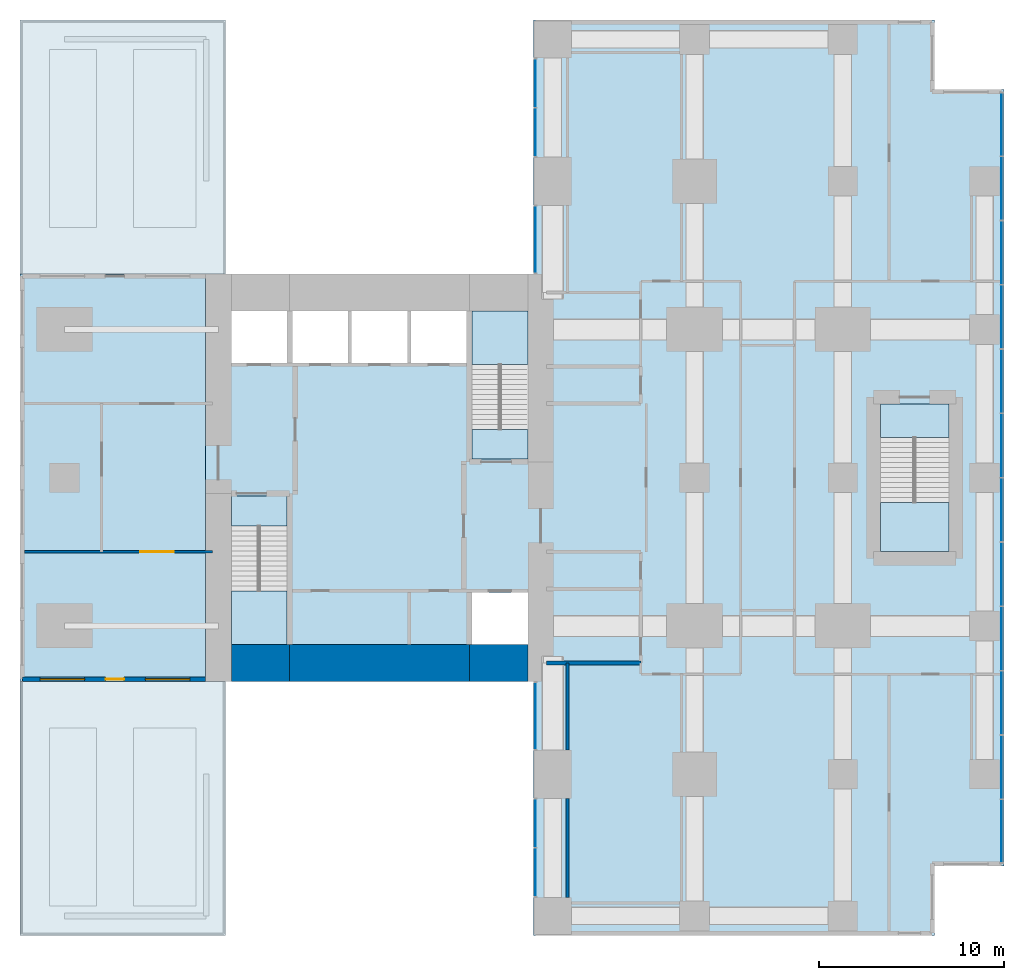
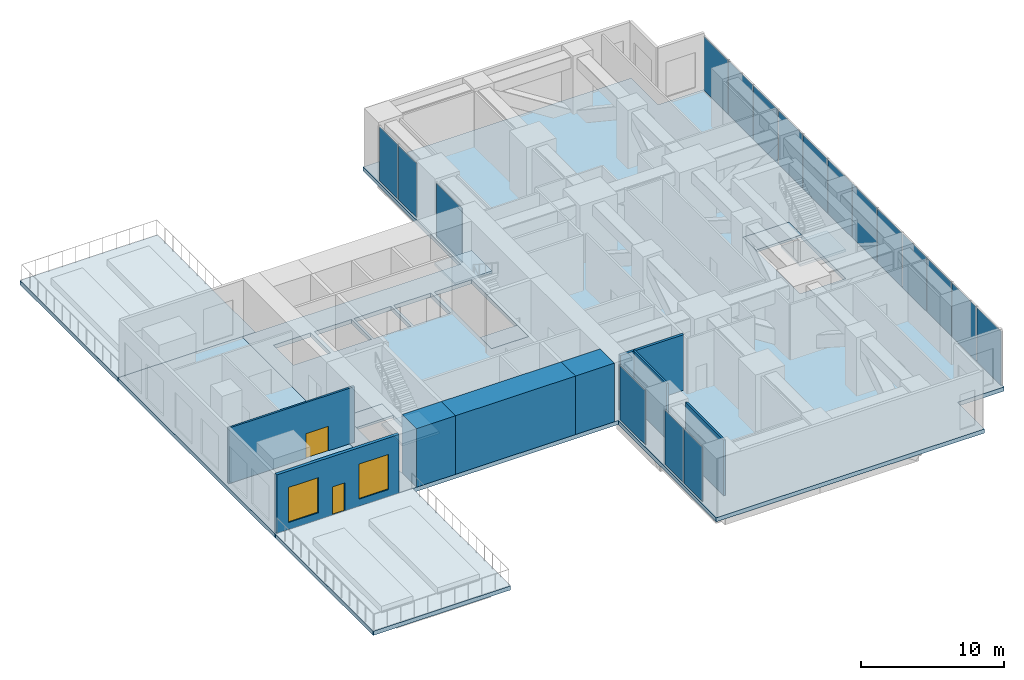
# One storey, part 6 of 10: 18 plates, 10 slabs, 8 walls, 2 doors, 2 windows, 4 openings, 8 elements without a shape of their own.
"""IFC4 building model written with IfcOpenShell, lengths in metres."""

import ifcopenshell
import ifcopenshell.guid

model = None  # the IFC model being written
_history = None  # IfcOwnerHistory: only IFC2X3 demands one
_inside = {}  # id of a spatial element -> (the spatial element, [elements in it])
_under = {}  # id of a project, library or spatial element -> (it, [spatial elements below it])
_declared = {}  # id of a project -> (the project, [libraries it declares])
_typed = {}  # id of a type object -> (the type object, [elements of that type])
_made_of = {}  # id of a material, layer set ... -> (it, [elements and type objects made of it])


def new_model(schema):
    """Start an empty IFC model of exactly this schema.

    Asked for "IFC4X3", IfcOpenShell would pick the latest addendum, in which some entities
    have other attributes; the version numbers below select the first issue.
    IFC2X3 requires an IfcOwnerHistory on every rooted entity: one is made here for all.
    """
    global model, _history
    if schema == "IFC4X3":
        model = ifcopenshell.file(schema_version=(4, 3, 0, 0))
    else:
        model = ifcopenshell.file(schema=schema)
    _inside.clear()
    _under.clear()
    _declared.clear()
    _typed.clear()
    _made_of.clear()
    _history = None
    if model.schema == "IFC2X3":
        org = make("IfcOrganization", Name="unknown")
        user = make(
            "IfcPersonAndOrganization",
            ThePerson=make("IfcPerson", FamilyName="unknown"),
            TheOrganization=org,
        )
        app = make(
            "IfcApplication",
            ApplicationDeveloper=org,
            Version="unknown",
            ApplicationFullName="unknown",
            ApplicationIdentifier="unknown",
        )
        _history = make(
            "IfcOwnerHistory",
            OwningUser=user,
            OwningApplication=app,
            ChangeAction="ADDED",
            CreationDate=0,
        )
    return model


def make(cls, **values):
    """One entity of the class cls with the attributes given. An attribute that is None is left unset."""
    return model.create_entity(
        cls, **{name: value for name, value in values.items() if value is not None}
    )


def rooted(cls, **values):
    """An entity with a GlobalId (a new one), such as an element, a storey or a relation."""
    return make(cls, GlobalId=ifcopenshell.guid.new(), OwnerHistory=_history, **values)


def si_unit(unit_type, name, prefix=None):
    """IfcSIUnit, for example si_unit("LENGTHUNIT", "METRE", prefix="MILLI")."""
    return make("IfcSIUnit", UnitType=unit_type, Prefix=prefix, Name=name)


def assignment(units):
    """IfcUnitAssignment: the units of a project."""
    return None if units is None else make("IfcUnitAssignment", Units=units)


def point(xyz):
    """IfcCartesianPoint."""
    return None if xyz is None else make("IfcCartesianPoint", Coordinates=xyz)


def direction(xyz):
    """IfcDirection."""
    return None if xyz is None else make("IfcDirection", DirectionRatios=xyz)


def frame(location, z_axis=None, x_axis=None):
    """IfcAxis2Placement3D, a coordinate frame: its origin and axes. An axis left out is left unset."""
    return make(
        "IfcAxis2Placement3D",
        Location=point(location),
        Axis=direction(z_axis),
        RefDirection=direction(x_axis),
    )


def frame_2d(location, x_axis=None):
    """IfcAxis2Placement2D, a coordinate frame in the plane: its origin and x axis."""
    return make(
        "IfcAxis2Placement2D", Location=point(location), RefDirection=direction(x_axis)
    )


def origin():
    """The frame at (0, 0, 0) with its axes left unset."""
    return frame((0.0, 0.0, 0.0))


def origin_2d():
    """The frame at (0, 0) in the plane with its x axis left unset."""
    return frame_2d((0.0, 0.0))


def place(relative_to, where):
    """IfcLocalPlacement: puts the frame where relative to a parent placement (None: the world)."""
    return make(
        "IfcLocalPlacement", PlacementRelTo=relative_to, RelativePlacement=where
    )


def context(
    kind, dimensions, precision=None, world=None, true_north=None, identifier=None
):
    """IfcGeometricRepresentationContext, for example the 3D "Model" context."""
    return make(
        "IfcGeometricRepresentationContext",
        ContextIdentifier=identifier,
        ContextType=kind,
        CoordinateSpaceDimension=dimensions,
        Precision=precision,
        WorldCoordinateSystem=world,
        TrueNorth=true_north,
    )


def subcontext(parent, identifier, kind, view, scale=None):
    """IfcGeometricRepresentationSubContext, for example "Body" below "Model"."""
    return make(
        "IfcGeometricRepresentationSubContext",
        ContextIdentifier=identifier,
        ContextType=kind,
        ParentContext=parent,
        TargetScale=scale,
        TargetView=view,
    )


def project(units=None, contexts=None):
    """IfcProject with its units and contexts."""
    return rooted(
        "IfcProject",
        Name="project",
        RepresentationContexts=contexts,
        UnitsInContext=assignment(units),
    )


def spatial(cls, under=None, at=None, **own):
    """A site, building, storey or space (cls), placed at a placement, below another one or the project."""
    s = rooted(cls, ObjectPlacement=at, **own)
    if under is not None:
        _under.setdefault(under.id(), (under, []))[1].append(s)
    return s


def polyline(points):
    """IfcPolyline through the points."""
    return make("IfcPolyline", Points=[point(p) for p in points])


def profile(cls, at=None, kind="AREA", **sizes):
    """A parametric profile (cls). Its sizes go by their IFC names, for example OverallWidth=200.0."""
    return make(cls, ProfileType=kind, Position=at, **sizes)


def rectangle(**sizes):
    """IfcRectangleProfileDef."""
    return profile("IfcRectangleProfileDef", **sizes)


def outline(outer, holes=None, kind="AREA"):
    """IfcArbitraryClosedProfileDef: a profile drawn as a closed curve; with holes, ...WithVoids."""
    if holes is None:
        return make("IfcArbitraryClosedProfileDef", ProfileType=kind, OuterCurve=outer)
    return make(
        "IfcArbitraryProfileDefWithVoids",
        ProfileType=kind,
        OuterCurve=outer,
        InnerCurves=holes,
    )


def extrude(swept, where, along, depth):
    """IfcExtrudedAreaSolid: the profile swept, set in the frame where, extruded along a direction by depth."""
    return make(
        "IfcExtrudedAreaSolid",
        SweptArea=swept,
        Position=where,
        ExtrudedDirection=direction(along),
        Depth=depth,
    )


def shape(context_of_items, identifier, shape_type, items):
    """IfcShapeRepresentation: the items that make up one representation, for example the "Body"."""
    return make(
        "IfcShapeRepresentation",
        ContextOfItems=context_of_items,
        RepresentationIdentifier=identifier,
        RepresentationType=shape_type,
        Items=items,
    )


def material(Name=None, Category=None):
    """IfcMaterial."""
    return make("IfcMaterial", Name=Name, Category=Category)


def layer(
    of_material, thickness, ventilated=None, Name=None, Category=None, Priority=None
):
    """IfcMaterialLayer: one layer of a wall or slab, of a material (None: an air gap)."""
    return make(
        "IfcMaterialLayer",
        Material=of_material,
        LayerThickness=thickness,
        IsVentilated=ventilated,
        Name=Name,
        Category=Category,
        Priority=Priority,
    )


def layer_set(layers, Name=None):
    """IfcMaterialLayerSet."""
    return make("IfcMaterialLayerSet", MaterialLayers=layers, LayerSetName=Name)


def made_of(thing, what):
    """Note that an element or type object is made of a material, layer set ...; save() writes the relation."""
    if what is not None:
        _made_of.setdefault(what.id(), (what, []))[1].append(thing)
    return thing


def type_object(cls, material=None, **own):
    """A type object (cls), such as IfcWallType, which elements share."""
    return made_of(rooted(cls, **own), material)


def element(
    cls,
    number,
    at=None,
    inside=None,
    cuts=None,
    type_object=None,
    material=None,
    context=None,
    identifier="Body",
    shape_type=None,
    held_by="IfcProductDefinitionShape",
    body=None,
    shapes=None,
    **own,
):
    """One element of the class cls, such as IfcWall. Its Tag is "e" and its number.

    at: its placement. inside: the storey or other place that contains it. cuts: it is an
    opening in that element (IfcRelVoidsElement). A single representation is given by context,
    identifier, shape_type and body (its items); several are given by shapes. held_by: the class
    of the entity that holds the representations. save() writes the other relations.
    """
    e = rooted(cls, Tag="e%d" % number, ObjectPlacement=at, **own)
    if body is not None:
        shapes = [shape(context, identifier, shape_type, body)]
    if shapes is not None:
        e.Representation = make(held_by, Representations=shapes)
    if inside is not None:
        _inside.setdefault(inside.id(), (inside, []))[1].append(e)
    if cuts is not None:
        rooted(
            "IfcRelVoidsElement", RelatingBuildingElement=cuts, RelatedOpeningElement=e
        )
    if type_object is not None:
        _typed.setdefault(type_object.id(), (type_object, []))[1].append(e)
    return made_of(e, material)


def fill(opening, filler):
    """IfcRelFillsElement: the door or window that sits in an opening."""
    return rooted(
        "IfcRelFillsElement",
        RelatingOpeningElement=opening,
        RelatedBuildingElement=filler,
    )


def aggregate(whole, parts):
    """IfcRelAggregates: a whole, such as a stair, and the parts it consists of."""
    return rooted("IfcRelAggregates", RelatingObject=whole, RelatedObjects=parts)


def save(model, path):
    """Write the relations noted so far, then the file.

    IfcRelAggregates (storeys below a building ...), IfcRelContainedInSpatialStructure (elements
    in a storey), IfcRelDefinesByType, IfcRelAssociatesMaterial and IfcRelDeclares: one each for
    every whole, place, type object, material and project.
    """
    for whole, parts in _under.values():
        aggregate(whole, parts)
    for where, things in _inside.values():
        rooted(
            "IfcRelContainedInSpatialStructure",
            RelatedElements=things,
            RelatingStructure=where,
        )
    for kind, things in _typed.values():
        rooted("IfcRelDefinesByType", RelatedObjects=things, RelatingType=kind)
    for what, things in _made_of.values():
        rooted("IfcRelAssociatesMaterial", RelatedObjects=things, RelatingMaterial=what)
    for by, libraries in _declared.values():
        rooted("IfcRelDeclares", RelatingContext=by, RelatedDefinitions=libraries)
    model.write(path)


model = new_model("IFC4")

# Units and contexts
model_context = context("Model", 3, precision=1e-05, world=origin(), true_north=direction((0.0, 1.0)))
body_context = subcontext(model_context, "Body", "Model", "MODEL_VIEW")
ifc_project = project(units=[si_unit("LENGTHUNIT", "METRE"), si_unit("AREAUNIT", "SQUARE_METRE"), si_unit("VOLUMEUNIT", "CUBIC_METRE"), si_unit("PLANEANGLEUNIT", "RADIAN"), si_unit("MASSUNIT", "GRAM", prefix="KILO")], contexts=[model_context])

# Site, building, storey
site_placement = place(None, origin())
site = spatial("IfcSite", under=ifc_project, at=site_placement, CompositionType="ELEMENT")
building_placement = place(site_placement, origin())
building = spatial("IfcBuilding", under=site, at=building_placement, Name="Cleftline Residences", CompositionType="ELEMENT")
storey_placement = place(building_placement, frame((0.0, 0.0, 225.39990234375)))
storey = spatial("IfcBuildingStorey", under=building, at=storey_placement, Name="L59", CompositionType="ELEMENT", Elevation=225.39990234375)

# Curtain wall, plate
ifc_material_1 = material(Name="Aluminium framed curtain wall", Category="aluminium")
ifc_layer_1 = layer(ifc_material_1, 0.199951171875)
ifc_layer_set_1 = layer_set([ifc_layer_1], Name="CW1 CLEFT GLAZING")
curtain_wall_type_1 = type_object("IfcCurtainWallType", Name="CW1 CLEFT GLAZING", PredefinedType="NOTDEFINED", material=ifc_layer_set_1)
curtain_wall_1_placement = place(storey_placement, origin())
curtain_wall_1 = element("IfcCurtainWall", 1, at=curtain_wall_1_placement, inside=storey, type_object=curtain_wall_type_1, Name="Curtain wall CW1", PredefinedType="NOTDEFINED")
ifc_material_2 = material(Name="Insulated aluminium panel", Category="aluminium")
ifc_layer_2 = layer(ifc_material_2, 0.028076171875)
ifc_layer_set_2 = layer_set([ifc_layer_2], Name="CW1 INSULATED PANEL")
plate_type_1 = type_object("IfcPlateType", Name="CW1 INSULATED PANEL", PredefinedType="USERDEFINED", material=ifc_layer_set_2)
plate_1_placement = place(storey_placement, frame((41.425048828125, 11.14990234375, 0.06005859375), z_axis=(0.0, 0.0, 1.0), x_axis=(0.0, -1.0, 0.0)))
plate_1 = element("IfcPlate", 2, at=plate_1_placement, type_object=plate_type_1, Name="CW1 panel 1.1", ObjectType="INSULATED PANEL", PredefinedType="USERDEFINED", context=body_context, shape_type="SweptSolid", body=[
    extrude(rectangle(XDim=3.580078125, YDim=0.028076171875, at=origin_2d()), origin(), (0.0, 0.0, 1.0), 4.6298828125),
])
aggregate(curtain_wall_1, [plate_1])

# Curtain wall, plates
curtain_wall_2_placement = place(storey_placement, origin())
curtain_wall_2 = element("IfcCurtainWall", 3, at=curtain_wall_2_placement, inside=storey, type_object=curtain_wall_type_1, Name="Curtain wall CW1", PredefinedType="NOTDEFINED")
plate_2_placement = place(storey_placement, frame((41.425048828125, 5.347412109375, 0.06005859375), z_axis=(0.0, 0.0, 1.0), x_axis=(0.0, -1.0, 0.0)))
plate_2 = element("IfcPlate", 4, at=plate_2_placement, type_object=plate_type_1, Name="CW1 panel 1.1", ObjectType="INSULATED PANEL", PredefinedType="USERDEFINED", context=body_context, shape_type="SweptSolid", body=[
    extrude(rectangle(XDim=2.5849609375, YDim=0.028076171875, at=origin_2d()), origin(), (0.0, 0.0, 1.0), 4.6298828125),
])
plate_3_placement = place(storey_placement, frame((41.425048828125, 2.702392578125, 0.06005859375), z_axis=(0.0, 0.0, 1.0), x_axis=(0.0, -1.0, 0.0)))
plate_3 = element("IfcPlate", 5, at=plate_3_placement, type_object=plate_type_1, Name="CW1 panel 2.1", ObjectType="INSULATED PANEL", PredefinedType="USERDEFINED", context=body_context, shape_type="SweptSolid", body=[
    extrude(rectangle(XDim=2.5849609375, YDim=0.028076171875, at=origin_2d()), origin(), (0.0, 0.0, 1.0), 4.6298828125),
])
aggregate(curtain_wall_2, [plate_2, plate_3])

curtain_wall_3_placement = place(storey_placement, origin())
curtain_wall_3 = element("IfcCurtainWall", 6, at=curtain_wall_3_placement, inside=storey, type_object=curtain_wall_type_1, Name="Curtain wall CW1", PredefinedType="NOTDEFINED")
plate_4_placement = place(storey_placement, frame((41.425048828125, 45.297607421875, 0.06005859375), z_axis=(0.0, 0.0, 1.0), x_axis=(0.0, -1.0, 0.0)))
plate_4 = element("IfcPlate", 7, at=plate_4_placement, type_object=plate_type_1, Name="CW1 panel 1.1", ObjectType="INSULATED PANEL", PredefinedType="USERDEFINED", context=body_context, shape_type="SweptSolid", body=[
    extrude(rectangle(XDim=2.5849609375, YDim=0.028076171875, at=origin_2d()), origin(), (0.0, 0.0, 1.0), 4.6298828125),
])
plate_5_placement = place(storey_placement, frame((41.425048828125, 42.652587890625, 0.06005859375), z_axis=(0.0, 0.0, 1.0), x_axis=(0.0, -1.0, 0.0)))
plate_5 = element("IfcPlate", 8, at=plate_5_placement, type_object=plate_type_1, Name="CW1 panel 2.1", ObjectType="INSULATED PANEL", PredefinedType="USERDEFINED", context=body_context, shape_type="SweptSolid", body=[
    extrude(rectangle(XDim=2.5849609375, YDim=0.028076171875, at=origin_2d()), origin(), (0.0, 0.0, 1.0), 4.6298828125),
])
aggregate(curtain_wall_3, [plate_4, plate_5])

# Curtain wall, plate
curtain_wall_4_placement = place(storey_placement, origin())
curtain_wall_4 = element("IfcCurtainWall", 9, at=curtain_wall_4_placement, inside=storey, type_object=curtain_wall_type_1, Name="Curtain wall CW1", PredefinedType="NOTDEFINED")
plate_6_placement = place(storey_placement, frame((41.425048828125, 36.85009765625, 0.06005859375), z_axis=(0.0, 0.0, 1.0), x_axis=(0.0, -1.0, 0.0)))
plate_6 = element("IfcPlate", 10, at=plate_6_placement, type_object=plate_type_1, Name="CW1 panel 1.1", ObjectType="INSULATED PANEL", PredefinedType="USERDEFINED", context=body_context, shape_type="SweptSolid", body=[
    extrude(rectangle(XDim=3.580078125, YDim=0.028076171875, at=origin_2d()), origin(), (0.0, 0.0, 1.0), 4.6298828125),
])
aggregate(curtain_wall_4, [plate_6])

# Curtain wall, plates
ifc_material_3 = material(Name="Aluminium framed curtain wall", Category="aluminium")
ifc_layer_3 = layer(ifc_material_3, 0.199951171875)
ifc_layer_set_3 = layer_set([ifc_layer_3], Name="CW4 SKY LOUNGE GLAZING")
curtain_wall_type_2 = type_object("IfcCurtainWallType", Name="CW4 SKY LOUNGE GLAZING", PredefinedType="NOTDEFINED", material=ifc_layer_set_3)
curtain_wall_5_placement = place(storey_placement, origin())
curtain_wall_5 = element("IfcCurtainWall", 11, at=curtain_wall_5_placement, inside=storey, type_object=curtain_wall_type_2, Name="Curtain wall CW4", PredefinedType="NOTDEFINED")
ifc_material_4 = material(Name="Laminated clear glass", Category="glass")
ifc_layer_4 = layer(ifc_material_4, 0.028076171875)
ifc_layer_set_4 = layer_set([ifc_layer_4], Name="CW4 GLASS PANEL")
plate_type_2 = type_object("IfcPlateType", Name="CW4 GLASS PANEL", PredefinedType="CURTAIN_PANEL", material=ifc_layer_set_4)
plate_7_placement = place(storey_placement, frame((66.574951171875, 4.9267578125, 0.06494140625), z_axis=(0.0, 0.0, 1.0), x_axis=(0.0, 1.0, 0.0)))
plate_7 = element("IfcPlate", 12, at=plate_7_placement, type_object=plate_type_2, Name="CW4 panel 1.1", PredefinedType="CURTAIN_PANEL", context=body_context, shape_type="SweptSolid", body=[
    extrude(rectangle(XDim=3.373291015625, YDim=0.028076171875, at=origin_2d()), origin(), (0.0, 0.0, 1.0), 4.6201171875),
])
plate_8_placement = place(storey_placement, frame((66.574951171875, 43.0732421875, 0.06494140625), z_axis=(0.0, 0.0, 1.0), x_axis=(0.0, 1.0, 0.0)))
plate_8 = element("IfcPlate", 13, at=plate_8_placement, type_object=plate_type_2, Name="CW4 panel 12.1", PredefinedType="CURTAIN_PANEL", context=body_context, shape_type="SweptSolid", body=[
    extrude(rectangle(XDim=3.373291015625, YDim=0.028076171875, at=origin_2d()), origin(), (0.0, 0.0, 1.0), 4.6201171875),
])
ifc_material_5 = material(Name="Insulated aluminium panel", Category="aluminium")
ifc_layer_5 = layer(ifc_material_5, 0.028076171875)
ifc_layer_set_5 = layer_set([ifc_layer_5], Name="CW4 INSULATED PANEL")
plate_type_3 = type_object("IfcPlateType", Name="CW4 INSULATED PANEL", PredefinedType="USERDEFINED", material=ifc_layer_set_5)
plate_9_placement = place(storey_placement, frame((66.574951171875, 8.38134765625, 0.06494140625), z_axis=(0.0, 0.0, 1.0), x_axis=(0.0, 1.0, 0.0)))
plate_9 = element("IfcPlate", 14, at=plate_9_placement, type_object=plate_type_3, Name="CW4 panel 2.1", ObjectType="INSULATED PANEL", PredefinedType="USERDEFINED", context=body_context, shape_type="SweptSolid", body=[
    extrude(rectangle(XDim=3.40576171875, YDim=0.028076171875, at=origin_2d()), origin(), (0.0, 0.0, 1.0), 4.6201171875),
])
plate_10_placement = place(storey_placement, frame((66.574951171875, 11.85205078125, 0.06494140625), z_axis=(0.0, 0.0, 1.0), x_axis=(0.0, 1.0, 0.0)))
plate_10 = element("IfcPlate", 15, at=plate_10_placement, type_object=plate_type_3, Name="CW4 panel 3.1", ObjectType="INSULATED PANEL", PredefinedType="USERDEFINED", context=body_context, shape_type="SweptSolid", body=[
    extrude(rectangle(XDim=3.40576171875, YDim=0.028076171875, at=origin_2d()), origin(), (0.0, 0.0, 1.0), 4.6201171875),
])
plate_11_placement = place(storey_placement, frame((66.574951171875, 15.322998046875, 0.06494140625), z_axis=(0.0, 0.0, 1.0), x_axis=(0.0, 1.0, 0.0)))
plate_11 = element("IfcPlate", 16, at=plate_11_placement, type_object=plate_type_3, Name="CW4 panel 4.1", ObjectType="INSULATED PANEL", PredefinedType="USERDEFINED", context=body_context, shape_type="SweptSolid", body=[
    extrude(rectangle(XDim=3.40576171875, YDim=0.028076171875, at=origin_2d()), origin(), (0.0, 0.0, 1.0), 4.6201171875),
])
plate_12_placement = place(storey_placement, frame((66.574951171875, 18.793701171875, 0.06494140625), z_axis=(0.0, 0.0, 1.0), x_axis=(0.0, 1.0, 0.0)))
plate_12 = element("IfcPlate", 17, at=plate_12_placement, type_object=plate_type_3, Name="CW4 panel 5.1", ObjectType="INSULATED PANEL", PredefinedType="USERDEFINED", context=body_context, shape_type="SweptSolid", body=[
    extrude(rectangle(XDim=3.40576171875, YDim=0.028076171875, at=origin_2d()), origin(), (0.0, 0.0, 1.0), 4.6201171875),
])
plate_13_placement = place(storey_placement, frame((66.574951171875, 22.2646484375, 0.06494140625), z_axis=(0.0, 0.0, 1.0), x_axis=(0.0, 1.0, 0.0)))
plate_13 = element("IfcPlate", 18, at=plate_13_placement, type_object=plate_type_3, Name="CW4 panel 6.1", ObjectType="INSULATED PANEL", PredefinedType="USERDEFINED", context=body_context, shape_type="SweptSolid", body=[
    extrude(rectangle(XDim=3.40576171875, YDim=0.028076171875, at=origin_2d()), origin(), (0.0, 0.0, 1.0), 4.6201171875),
])
plate_14_placement = place(storey_placement, frame((66.574951171875, 25.7353515625, 0.06494140625), z_axis=(0.0, 0.0, 1.0), x_axis=(0.0, 1.0, 0.0)))
plate_14 = element("IfcPlate", 19, at=plate_14_placement, type_object=plate_type_3, Name="CW4 panel 7.1", ObjectType="INSULATED PANEL", PredefinedType="USERDEFINED", context=body_context, shape_type="SweptSolid", body=[
    extrude(rectangle(XDim=3.40576171875, YDim=0.028076171875, at=origin_2d()), origin(), (0.0, 0.0, 1.0), 4.6201171875),
])
plate_15_placement = place(storey_placement, frame((66.574951171875, 29.206298828125, 0.06494140625), z_axis=(0.0, 0.0, 1.0), x_axis=(0.0, 1.0, 0.0)))
plate_15 = element("IfcPlate", 20, at=plate_15_placement, type_object=plate_type_3, Name="CW4 panel 8.1", ObjectType="INSULATED PANEL", PredefinedType="USERDEFINED", context=body_context, shape_type="SweptSolid", body=[
    extrude(rectangle(XDim=3.40576171875, YDim=0.028076171875, at=origin_2d()), origin(), (0.0, 0.0, 1.0), 4.6201171875),
])
plate_16_placement = place(storey_placement, frame((66.574951171875, 32.677001953125, 0.06494140625), z_axis=(0.0, 0.0, 1.0), x_axis=(0.0, 1.0, 0.0)))
plate_16 = element("IfcPlate", 21, at=plate_16_placement, type_object=plate_type_3, Name="CW4 panel 9.1", ObjectType="INSULATED PANEL", PredefinedType="USERDEFINED", context=body_context, shape_type="SweptSolid", body=[
    extrude(rectangle(XDim=3.40576171875, YDim=0.028076171875, at=origin_2d()), origin(), (0.0, 0.0, 1.0), 4.6201171875),
])
plate_17_placement = place(storey_placement, frame((66.574951171875, 36.14794921875, 0.06494140625), z_axis=(0.0, 0.0, 1.0), x_axis=(0.0, 1.0, 0.0)))
plate_17 = element("IfcPlate", 22, at=plate_17_placement, type_object=plate_type_3, Name="CW4 panel 10.1", ObjectType="INSULATED PANEL", PredefinedType="USERDEFINED", context=body_context, shape_type="SweptSolid", body=[
    extrude(rectangle(XDim=3.40576171875, YDim=0.028076171875, at=origin_2d()), origin(), (0.0, 0.0, 1.0), 4.6201171875),
])
plate_18_placement = place(storey_placement, frame((66.574951171875, 39.61865234375, 0.06494140625), z_axis=(0.0, 0.0, 1.0), x_axis=(0.0, 1.0, 0.0)))
plate_18 = element("IfcPlate", 23, at=plate_18_placement, type_object=plate_type_3, Name="CW4 panel 11.1", ObjectType="INSULATED PANEL", PredefinedType="USERDEFINED", context=body_context, shape_type="SweptSolid", body=[
    extrude(rectangle(XDim=3.40576171875, YDim=0.028076171875, at=origin_2d()), origin(), (0.0, 0.0, 1.0), 4.6201171875),
])
aggregate(curtain_wall_5, [plate_7, plate_9, plate_10, plate_11, plate_12, plate_13, plate_14, plate_15, plate_16, plate_17, plate_18, plate_8])

# Slab
ifc_material_6 = material(Name="Concrete B45", Category="concrete")
ifc_layer_6 = layer(ifc_material_6, 0.35009765625)
ifc_layer_set_6 = layer_set([ifc_layer_6], Name="FLOOR SLAB 350")
slab_type_1 = type_object("IfcSlabType", Name="FLOOR SLAB 350", PredefinedType="FLOOR", material=ifc_layer_set_6)
slab_1_placement = place(storey_placement, frame((0.0, 0.0, -0.349853515625)))
element("IfcSlab", 24, at=slab_1_placement, inside=storey, type_object=slab_type_1, Name="Floor slab L59", PredefinedType="FLOOR", context=body_context, shape_type="SweptSolid", body=[
    extrude(outline(polyline([(23.60009765625, 35.0), (23.60009765625, 13.0), (24.0, 13.0), (24.699951171875, 13.0), (41.300048828125, 13.0), (41.300048828125, -0.699951171875), (62.949951171875, -0.699951171875), (62.949951171875, 3.050048828125), (66.699951171875, 3.050048828125), (66.699951171875, 44.949951171875), (62.949951171875, 44.949951171875), (62.949951171875, 48.699951171875), (41.300048828125, 48.699951171875), (41.300048828125, 35.0), (24.699951171875, 35.0), (24.0, 35.0), (23.60009765625, 35.0)]), holes=[polyline([(28.0, 15.0), (28.0, 23.0), (25.0, 23.0), (25.0, 15.0), (28.0, 15.0)]), polyline([(41.0, 25.0), (41.0, 33.0), (38.0, 33.0), (38.0, 25.0), (41.0, 25.0)]), polyline([(28.0, 30.199951171875), (28.0, 33.0), (25.0, 33.0), (25.0, 30.199951171875), (28.0, 30.199951171875)]), polyline([(41.0, 15.0), (41.0, 17.800048828125), (38.0, 17.800048828125), (38.0, 15.0), (41.0, 15.0)]), polyline([(31.300048828125, 30.199951171875), (31.300048828125, 33.0), (28.300048828125, 33.0), (28.300048828125, 30.199951171875), (31.300048828125, 30.199951171875)]), polyline([(34.5, 30.199951171875), (34.5, 33.0), (31.5, 33.0), (31.5, 30.199951171875), (34.5, 30.199951171875)]), polyline([(37.699951171875, 30.199951171875), (37.699951171875, 33.0), (34.699951171875, 33.0), (34.699951171875, 30.199951171875), (37.699951171875, 30.199951171875)]), polyline([(63.72509765625, 20.02490234375), (63.72509765625, 27.97509765625), (60.02490234375, 27.97509765625), (60.02490234375, 20.02490234375), (63.72509765625, 20.02490234375)])]), origin(), (0.0, 0.0, 1.0), 0.349853515625),
])

# Stair, slabs
ifc_material_7 = material(Name="Concrete B45, stone treads", Category="masonry")
stair_type_1 = type_object("IfcStairType", Name="STAIR A 1450 WIDE 179 RISER", PredefinedType="HALF_TURN_STAIR", material=ifc_material_7)
stair_1_placement = place(storey_placement, origin())
stair_1 = element("IfcStair", 25, at=stair_1_placement, inside=storey, type_object=stair_type_1, Name="Stair A L59", PredefinedType="HALF_TURN_STAIR")
ifc_material_8 = material(Name="Concrete B45", Category="concrete")
ifc_layer_7 = layer(ifc_material_8, 0.199951171875)
ifc_layer_set_7 = layer_set([ifc_layer_7], Name="STAIR LANDING 200")
slab_type_2 = type_object("IfcSlabType", Name="STAIR LANDING 200", PredefinedType="LANDING", material=ifc_layer_set_7)
slab_2_placement = place(storey_placement, frame((0.0, 0.0, -0.199951171875)))
slab_2 = element("IfcSlab", 26, at=slab_2_placement, type_object=slab_type_2, Name="ST-A landing 1", PredefinedType="LANDING", context=body_context, shape_type="SweptSolid", body=[
    extrude(outline(polyline([(25.0, 21.39990234375), (28.0, 21.39990234375), (28.0, 23.0), (25.0, 23.0), (25.0, 21.39990234375)])), origin(), (0.0, 0.0, 1.0), 0.199951171875),
])
slab_3_placement = place(storey_placement, frame((0.0, 0.0, 2.300048828125)))
slab_3 = element("IfcSlab", 27, at=slab_3_placement, type_object=slab_type_2, Name="ST-A landing 2", PredefinedType="LANDING", context=body_context, shape_type="SweptSolid", body=[
    extrude(outline(polyline([(25.0, 15.0), (28.0, 15.0), (28.0, 17.889892578125), (25.0, 17.889892578125), (25.0, 15.0)])), origin(), (0.0, 0.0, 1.0), 0.199951171875),
])
aggregate(stair_1, [slab_2, slab_3])

ifc_material_9 = material(Name="Concrete B45, stone treads", Category="masonry")
stair_type_2 = type_object("IfcStairType", Name="STAIR B 1450 WIDE 179 RISER", PredefinedType="HALF_TURN_STAIR", material=ifc_material_9)
stair_2_placement = place(storey_placement, origin())
stair_2 = element("IfcStair", 28, at=stair_2_placement, inside=storey, type_object=stair_type_2, Name="Stair B L59", PredefinedType="HALF_TURN_STAIR")
slab_4_placement = place(storey_placement, frame((0.0, 0.0, -0.199951171875)))
slab_4 = element("IfcSlab", 29, at=slab_4_placement, type_object=slab_type_2, Name="ST-B landing 1", PredefinedType="LANDING", context=body_context, shape_type="SweptSolid", body=[
    extrude(outline(polyline([(38.0, 25.0), (41.0, 25.0), (41.0, 26.60009765625), (38.0, 26.60009765625), (38.0, 25.0)])), origin(), (0.0, 0.0, 1.0), 0.199951171875),
])
slab_5_placement = place(storey_placement, frame((0.0, 0.0, 2.300048828125)))
slab_5 = element("IfcSlab", 30, at=slab_5_placement, type_object=slab_type_2, Name="ST-B landing 2", PredefinedType="LANDING", context=body_context, shape_type="SweptSolid", body=[
    extrude(outline(polyline([(38.0, 30.110107421875), (41.0, 30.110107421875), (41.0, 33.0), (38.0, 33.0), (38.0, 30.110107421875)])), origin(), (0.0, 0.0, 1.0), 0.199951171875),
])
aggregate(stair_2, [slab_4, slab_5])

ifc_material_10 = material(Name="Concrete B45, stone treads", Category="masonry")
stair_type_3 = type_object("IfcStairType", Name="STAIR E 1800 WIDE 179 RISER", PredefinedType="HALF_TURN_STAIR", material=ifc_material_10)
stair_3_placement = place(storey_placement, origin())
stair_3 = element("IfcStair", 31, at=stair_3_placement, inside=storey, type_object=stair_type_3, Name="Stair E L59", PredefinedType="HALF_TURN_STAIR")
slab_6_placement = place(storey_placement, frame((0.0, 0.0, -0.199951171875)))
slab_6 = element("IfcSlab", 32, at=slab_6_placement, type_object=slab_type_2, Name="ST-E landing 1", PredefinedType="LANDING", context=body_context, shape_type="SweptSolid", body=[
    extrude(outline(polyline([(60.02490234375, 26.175048828125), (63.72509765625, 26.175048828125), (63.72509765625, 27.97509765625), (60.02490234375, 27.97509765625), (60.02490234375, 26.175048828125)])), origin(), (0.0, 0.0, 1.0), 0.199951171875),
])
slab_7_placement = place(storey_placement, frame((0.0, 0.0, 2.300048828125)))
slab_7 = element("IfcSlab", 33, at=slab_7_placement, type_object=slab_type_2, Name="ST-E landing 2", PredefinedType="LANDING", context=body_context, shape_type="SweptSolid", body=[
    extrude(outline(polyline([(60.02490234375, 20.02490234375), (63.72509765625, 20.02490234375), (63.72509765625, 22.6650390625), (60.02490234375, 22.6650390625), (60.02490234375, 20.02490234375)])), origin(), (0.0, 0.0, 1.0), 0.199951171875),
])
aggregate(stair_3, [slab_6, slab_7])

# Slabs
ifc_material_11 = material(Name="Concrete B45", Category="concrete")
ifc_layer_8 = layer(ifc_material_11, 0.35009765625)
ifc_layer_set_8 = layer_set([ifc_layer_8], Name="TERRACE SLAB 350")
slab_type_3 = type_object("IfcSlabType", Name="TERRACE SLAB 350", PredefinedType="FLOOR", material=ifc_layer_set_8)
slab_8_placement = place(storey_placement, frame((0.0, 0.0, -0.349853515625)))
element("IfcSlab", 34, at=slab_8_placement, inside=storey, type_object=slab_type_3, Name="Terrace slab L59 1", PredefinedType="FLOOR", context=body_context, shape_type="SweptSolid", body=[
    extrude(outline(polyline([(24.68994140625, -0.699951171875), (24.69091796875, -0.699951171875), (24.69189453125, -0.69970703125), (24.69287109375, -0.69970703125), (24.69384765625, -0.69921875), (24.694580078125, -0.69873046875), (24.695556640625, -0.6982421875), (24.6962890625, -0.69775390625), (24.697021484375, -0.697021484375), (24.69775390625, -0.6962890625), (24.6982421875, -0.695556640625), (24.69873046875, -0.694580078125), (24.69921875, -0.69384765625), (24.69970703125, -0.69287109375), (24.69970703125, -0.69189453125), (24.699951171875, -0.69091796875), (24.699951171875, -0.68994140625), (24.699951171875, 12.989990234375), (24.699951171875, 12.990966796875), (24.69970703125, 12.991943359375), (24.69970703125, 12.992919921875), (24.69921875, 12.993896484375), (24.69873046875, 12.99462890625), (24.6982421875, 12.99560546875), (24.69775390625, 12.996337890625), (24.697021484375, 12.9970703125), (24.6962890625, 12.997802734375), (24.695556640625, 12.998291015625), (24.694580078125, 12.998779296875), (24.69384765625, 12.999267578125), (24.69287109375, 12.99951171875), (24.69189453125, 12.999755859375), (24.69091796875, 13.0), (24.68994140625, 13.0), (13.610107421875, 13.0), (13.60888671875, 13.0), (13.60791015625, 12.999755859375), (13.607177734375, 12.99951171875), (13.606201171875, 12.999267578125), (13.605224609375, 12.998779296875), (13.6044921875, 12.998291015625), (13.603759765625, 12.997802734375), (13.602783203125, 12.9970703125), (13.602294921875, 12.996337890625), (13.601806640625, 12.99560546875), (13.601318359375, 12.99462890625), (13.600830078125, 12.993896484375), (13.600341796875, 12.992919921875), (13.60009765625, 12.991943359375), (13.60009765625, 12.990966796875), (13.60009765625, 12.989990234375), (13.60009765625, -0.68994140625), (13.60009765625, -0.69091796875), (13.60009765625, -0.69189453125), (13.600341796875, -0.69287109375), (13.600830078125, -0.69384765625), (13.601318359375, -0.694580078125), (13.601806640625, -0.695556640625), (13.602294921875, -0.6962890625), (13.602783203125, -0.697021484375), (13.603759765625, -0.69775390625), (13.6044921875, -0.6982421875), (13.605224609375, -0.69873046875), (13.606201171875, -0.69921875), (13.607177734375, -0.69970703125), (13.60791015625, -0.69970703125), (13.60888671875, -0.699951171875), (13.610107421875, -0.699951171875), (24.68994140625, -0.699951171875)])), origin(), (0.0, 0.0, 1.0), 0.349853515625),
])
slab_9_placement = place(storey_placement, frame((0.0, 0.0, -0.349853515625)))
element("IfcSlab", 35, at=slab_9_placement, inside=storey, type_object=slab_type_3, Name="Terrace slab L59 2", PredefinedType="FLOOR", context=body_context, shape_type="SweptSolid", body=[
    extrude(outline(polyline([(13.60009765625, 35.010009765625), (13.60009765625, 35.009033203125), (13.60009765625, 35.008056640625), (13.600341796875, 35.007080078125), (13.600830078125, 35.006103515625), (13.601318359375, 35.00537109375), (13.601806640625, 35.00439453125), (13.602294921875, 35.003662109375), (13.602783203125, 35.0029296875), (13.603759765625, 35.002197265625), (13.6044921875, 35.001708984375), (13.605224609375, 35.001220703125), (13.606201171875, 35.000732421875), (13.607177734375, 35.00048828125), (13.60791015625, 35.000244140625), (13.60888671875, 35.0), (13.610107421875, 35.0), (24.68994140625, 35.0), (24.69091796875, 35.0), (24.69189453125, 35.000244140625), (24.69287109375, 35.00048828125), (24.69384765625, 35.000732421875), (24.694580078125, 35.001220703125), (24.695556640625, 35.001708984375), (24.6962890625, 35.002197265625), (24.697021484375, 35.0029296875), (24.69775390625, 35.003662109375), (24.6982421875, 35.00439453125), (24.69873046875, 35.00537109375), (24.69921875, 35.006103515625), (24.69970703125, 35.007080078125), (24.69970703125, 35.008056640625), (24.699951171875, 35.009033203125), (24.699951171875, 35.010009765625), (24.699951171875, 48.68994140625), (24.699951171875, 48.69091796875), (24.69970703125, 48.69189453125), (24.69970703125, 48.69287109375), (24.69921875, 48.69384765625), (24.69873046875, 48.694580078125), (24.6982421875, 48.695556640625), (24.69775390625, 48.6962890625), (24.697021484375, 48.697021484375), (24.6962890625, 48.69775390625), (24.695556640625, 48.6982421875), (24.694580078125, 48.69873046875), (24.69384765625, 48.69921875), (24.69287109375, 48.69970703125), (24.69189453125, 48.69970703125), (24.69091796875, 48.699951171875), (24.68994140625, 48.699951171875), (13.610107421875, 48.699951171875), (13.60888671875, 48.699951171875), (13.60791015625, 48.69970703125), (13.607177734375, 48.69970703125), (13.606201171875, 48.69921875), (13.605224609375, 48.69873046875), (13.6044921875, 48.6982421875), (13.603759765625, 48.69775390625), (13.602783203125, 48.697021484375), (13.602294921875, 48.6962890625), (13.601806640625, 48.695556640625), (13.601318359375, 48.694580078125), (13.600830078125, 48.69384765625), (13.600341796875, 48.69287109375), (13.60009765625, 48.69189453125), (13.60009765625, 48.69091796875), (13.60009765625, 48.68994140625), (13.60009765625, 35.010009765625)])), origin(), (0.0, 0.0, 1.0), 0.349853515625),
])
slab_10_placement = place(storey_placement, frame((0.0, 0.0, -0.349853515625)))
element("IfcSlab", 36, at=slab_10_placement, inside=storey, type_object=slab_type_3, Name="Sky garden deck under the garden pavilion L59", PredefinedType="FLOOR", context=body_context, shape_type="SweptSolid", body=[
    extrude(outline(polyline([(13.60009765625, 13.0), (23.60009765625, 13.0), (23.60009765625, 35.0), (13.60009765625, 35.0), (13.60009765625, 13.0)])), origin(), (0.0, 0.0, 1.0), 0.349853515625),
])

# Walls
ifc_material_12 = material(Name="Concrete B70", Category="concrete")
ifc_layer_9 = layer(ifc_material_12, 2.0)
ifc_layer_set_9 = layer_set([ifc_layer_9], Name="CORE WALL 2000")
wall_type_1 = type_object("IfcWallType", Name="CORE WALL 2000", PredefinedType="SHEAR", material=ifc_layer_set_9)
wall_1_placement = place(storey_placement, frame((25.0, 14.0, 0.0), z_axis=(0.0, 0.0, 1.0), x_axis=(1.0, 0.0, 0.0)))
element("IfcWall", 37, at=wall_1_placement, inside=storey, type_object=wall_type_1, Name="Core wall S1", PredefinedType="SHEAR", context=body_context, shape_type="SweptSolid", body=[
    extrude(rectangle(XDim=3.14990234375, YDim=2.0, at=frame_2d((1.574951171875, 0.0))), origin(), (0.0, 0.0, 1.0), 5.0),
])
wall_2_placement = place(storey_placement, frame((28.14990234375, 14.0, 0.0), z_axis=(0.0, 0.0, 1.0), x_axis=(1.0, 0.0, 0.0)))
element("IfcWall", 38, at=wall_2_placement, inside=storey, type_object=wall_type_1, Name="Core wall S2", PredefinedType="SHEAR", context=body_context, shape_type="SweptSolid", body=[
    extrude(rectangle(XDim=9.7001953125, YDim=2.0, at=frame_2d((4.85009765625, 0.0))), origin(), (0.0, 0.0, 1.0), 5.0),
])
wall_3_placement = place(storey_placement, frame((37.85009765625, 14.0, 0.0), z_axis=(0.0, 0.0, 1.0), x_axis=(1.0, 0.0, 0.0)))
element("IfcWall", 39, at=wall_3_placement, inside=storey, type_object=wall_type_1, Name="Core wall S3", PredefinedType="SHEAR", context=body_context, shape_type="SweptSolid", body=[
    extrude(rectangle(XDim=3.14990234375, YDim=2.0, at=frame_2d((1.574951171875, 0.0))), origin(), (0.0, 0.0, 1.0), 5.0),
])

# Wall, openings, door, windows
ifc_material_13 = material(Name="Rendered reinforced concrete blockwork", Category="masonry")
ifc_layer_10 = layer(ifc_material_13, 0.25)
ifc_layer_set_10 = layer_set([ifc_layer_10], Name="EXTERNAL WALL 250")
wall_type_2 = type_object("IfcWallType", Name="EXTERNAL WALL 250", PredefinedType="SOLIDWALL", material=ifc_layer_set_10)
wall_4_placement = place(storey_placement, frame((13.72509765625, 13.125, 0.0), z_axis=(0.0, 0.0, 1.0), x_axis=(1.0, 0.0, 0.0)))
wall_4 = element("IfcWall", 40, at=wall_4_placement, inside=storey, type_object=wall_type_2, Name="External wall", PredefinedType="SOLIDWALL", context=body_context, shape_type="SweptSolid", body=[
    extrude(rectangle(XDim=9.875, YDim=0.25, at=frame_2d((4.9375, 0.0))), origin(), (0.0, 0.0, 1.0), 5.0),
])
opening_1_placement = place(wall_4_placement, frame((4.5, 0.0, 0.0)))
opening_1 = element("IfcOpeningElement", 41, at=opening_1_placement, cuts=wall_4, Name="Opening DT1", PredefinedType="OPENING", context=body_context, shape_type="SweptSolid", body=[
    extrude(rectangle(XDim=1.0, YDim=2.39990234375, at=frame_2d((0.5, 1.199951171875))), frame((0.0, 0.135009765625, 0.0), z_axis=(0.0, -1.0, 0.0), x_axis=(1.0, 0.0, 0.0)), (0.0, 0.0, 1.0), 0.27001953125),
])
opening_2_placement = place(wall_4_placement, frame((0.96240234375, 0.0, 0.60009765625)))
opening_2 = element("IfcOpeningElement", 42, at=opening_2_placement, cuts=wall_4, Name="Opening W3", PredefinedType="OPENING", context=body_context, shape_type="SweptSolid", body=[
    extrude(rectangle(XDim=2.39990234375, YDim=3.0, at=frame_2d((1.199951171875, 1.5))), frame((0.0, 0.135009765625, 0.0), z_axis=(0.0, -1.0, 0.0), x_axis=(1.0, 0.0, 0.0)), (0.0, 0.0, 1.0), 0.27001953125),
])
opening_3_placement = place(wall_4_placement, frame((6.637451171875, 0.0, 0.60009765625)))
opening_3 = element("IfcOpeningElement", 43, at=opening_3_placement, cuts=wall_4, Name="Opening W3", PredefinedType="OPENING", context=body_context, shape_type="SweptSolid", body=[
    extrude(rectangle(XDim=2.39990234375, YDim=3.0, at=frame_2d((1.199951171875, 1.5))), frame((0.0, 0.135009765625, 0.0), z_axis=(0.0, -1.0, 0.0), x_axis=(1.0, 0.0, 0.0)), (0.0, 0.0, 1.0), 0.27001953125),
])
ifc_material_14 = material(Name="Aluminium and laminated glass", Category="aluminium")
door_type_1 = type_object("IfcDoorType", Name="TERRACE DOOR 1000X2400", OperationType="SINGLE_SWING_LEFT", PredefinedType="DOOR", material=ifc_material_14)
door_1_placement = place(opening_1_placement, origin())
door_1 = element("IfcDoor", 44, at=door_1_placement, inside=storey, type_object=door_type_1, Name="Terrace door", OperationType="SINGLE_SWING_LEFT", OverallHeight=2.39990234375, OverallWidth=1.0, PredefinedType="DOOR", context=body_context, shape_type="SweptSolid", body=[
    extrude(rectangle(XDim=1.0, YDim=2.39990234375, at=frame_2d((0.5, 1.199951171875))), frame((0.0, 0.02490234375, 0.0), z_axis=(0.0, -1.0, 0.0), x_axis=(1.0, 0.0, 0.0)), (0.0, 0.0, 1.0), 0.050048828125),
])
fill(opening_1, door_1)
ifc_material_15 = material(Name="Aluminium frame, clear double glazing", Category="aluminium")
window_type = type_object("IfcWindowType", Name="WINDOW 2400X3000", PartitioningType="DOUBLE_PANEL_VERTICAL", PredefinedType="WINDOW", material=ifc_material_15)
window_1_placement = place(opening_2_placement, origin())
window_1 = element("IfcWindow", 45, at=window_1_placement, inside=storey, type_object=window_type, Name="Window", OverallHeight=3.0, OverallWidth=2.39990234375, PartitioningType="SINGLE_PANEL", PredefinedType="WINDOW", context=body_context, shape_type="SweptSolid", body=[
    extrude(rectangle(XDim=2.39990234375, YDim=3.0, at=frame_2d((1.199951171875, 1.5))), frame((0.0, 0.030029296875, 0.0), z_axis=(0.0, -1.0, 0.0), x_axis=(1.0, 0.0, 0.0)), (0.0, 0.0, 1.0), 0.06005859375),
])
fill(opening_2, window_1)
window_2_placement = place(opening_3_placement, origin())
window_2 = element("IfcWindow", 46, at=window_2_placement, inside=storey, type_object=window_type, Name="Window", OverallHeight=3.0, OverallWidth=2.39990234375, PartitioningType="SINGLE_PANEL", PredefinedType="WINDOW", context=body_context, shape_type="SweptSolid", body=[
    extrude(rectangle(XDim=2.39990234375, YDim=3.0, at=frame_2d((1.199951171875, 1.5))), frame((0.0, 0.030029296875, 0.0), z_axis=(0.0, -1.0, 0.0), x_axis=(1.0, 0.0, 0.0)), (0.0, 0.0, 1.0), 0.06005859375),
])
fill(opening_3, window_2)

# Wall
ifc_material_16 = material(Name="Concrete blockwork, fire rated", Category="masonry")
ifc_layer_11 = layer(ifc_material_16, 0.199951171875)
ifc_layer_set_11 = layer_set([ifc_layer_11], Name="FIRE WALL 200")
wall_type_3 = type_object("IfcWallType", Name="FIRE WALL 200", PredefinedType="PARTITIONING", material=ifc_layer_set_11)
wall_5_placement = place(storey_placement, frame((42.0, 14.0, 0.0), z_axis=(0.0, 0.0, 1.0), x_axis=(1.0, 0.0, 0.0)))
element("IfcWall", 47, at=wall_5_placement, inside=storey, type_object=wall_type_3, Name="Fire separating wall", PredefinedType="PARTITIONING", context=body_context, shape_type="SweptSolid", body=[
    extrude(rectangle(XDim=5.10009765625, YDim=0.199951171875, at=frame_2d((2.550048828125, 0.0))), origin(), (0.0, 0.0, 1.0), 4.75),
])

# Wall, opening, door
ifc_material_17 = material(Name="Gypsum board on steel studs", Category="steel")
ifc_layer_12 = layer(ifc_material_17, 0.14990234375)
ifc_layer_set_12 = layer_set([ifc_layer_12], Name="PARTITION 150")
wall_type_4 = type_object("IfcWallType", Name="PARTITION 150", PredefinedType="PARTITIONING", material=ifc_layer_set_12)
wall_6_placement = place(storey_placement, frame((13.85009765625, 20.0, 0.0), z_axis=(0.0, 0.0, 1.0), x_axis=(1.0, 0.0, 0.0)))
wall_6 = element("IfcWall", 48, at=wall_6_placement, inside=storey, type_object=wall_type_4, Name="Partition", PredefinedType="PARTITIONING", context=body_context, shape_type="SweptSolid", body=[
    extrude(rectangle(XDim=10.14990234375, YDim=0.14990234375, at=frame_2d((5.074951171875, 0.0))), origin(), (0.0, 0.0, 1.0), 4.75),
])
opening_4_placement = place(wall_6_placement, frame((6.25, 0.0, 0.0)))
opening_4 = element("IfcOpeningElement", 49, at=opening_4_placement, cuts=wall_6, Name="Opening D3", PredefinedType="OPENING", context=body_context, shape_type="SweptSolid", body=[
    extrude(rectangle(XDim=1.800048828125, YDim=2.10009765625, at=frame_2d((0.89990234375, 1.050048828125))), frame((0.0, 0.0849609375, 0.0), z_axis=(0.0, -1.0, 0.0), x_axis=(1.0, 0.0, 0.0)), (0.0, 0.0, 1.0), 0.169921875),
])
ifc_material_18 = material(Name="Timber veneer on solid core", Category="wood")
door_type_2 = type_object("IfcDoorType", Name="DOUBLE DOOR 1800X2100", OperationType="DOUBLE_DOOR_DOUBLE_SWING", PredefinedType="DOOR", material=ifc_material_18)
door_2_placement = place(opening_4_placement, origin())
door_2 = element("IfcDoor", 50, at=door_2_placement, inside=storey, type_object=door_type_2, Name="Door to garden pavilion lounge", OperationType="DOUBLE_DOOR_DOUBLE_SWING", OverallHeight=2.10009765625, OverallWidth=1.800048828125, PredefinedType="DOOR", context=body_context, shape_type="SweptSolid", body=[
    extrude(rectangle(XDim=1.800048828125, YDim=2.10009765625, at=frame_2d((0.89990234375, 1.050048828125))), frame((0.0, 0.02490234375, 0.0), z_axis=(0.0, -1.0, 0.0), x_axis=(1.0, 0.0, 0.0)), (0.0, 0.0, 1.0), 0.050048828125),
])
fill(opening_4, door_2)

# Walls
wall_7_placement = place(storey_placement, frame((43.14990234375, 1.35009765625, 0.0), z_axis=(0.0, 0.0, 1.0), x_axis=(0.0, 1.0, 0.0)))
element("IfcWall", 51, at=wall_7_placement, inside=storey, type_object=wall_type_4, Name="Partition", PredefinedType="PARTITIONING", context=body_context, shape_type="SweptSolid", body=[
    extrude(rectangle(XDim=5.349853515625, YDim=0.14990234375, at=frame_2d((2.6748046875, 0.0))), origin(), (0.0, 0.0, 1.0), 4.75),
])
wall_8_placement = place(storey_placement, frame((43.14990234375, 9.300048828125, 0.0), z_axis=(0.0, 0.0, 1.0), x_axis=(0.0, 1.0, 0.0)))
element("IfcWall", 52, at=wall_8_placement, inside=storey, type_object=wall_type_4, Name="Partition", PredefinedType="PARTITIONING", context=body_context, shape_type="SweptSolid", body=[
    extrude(rectangle(XDim=4.699951171875, YDim=0.14990234375, at=frame_2d((2.35009765625, 0.0))), origin(), (0.0, 0.0, 1.0), 4.75),
])

save(model, "model.ifc")
